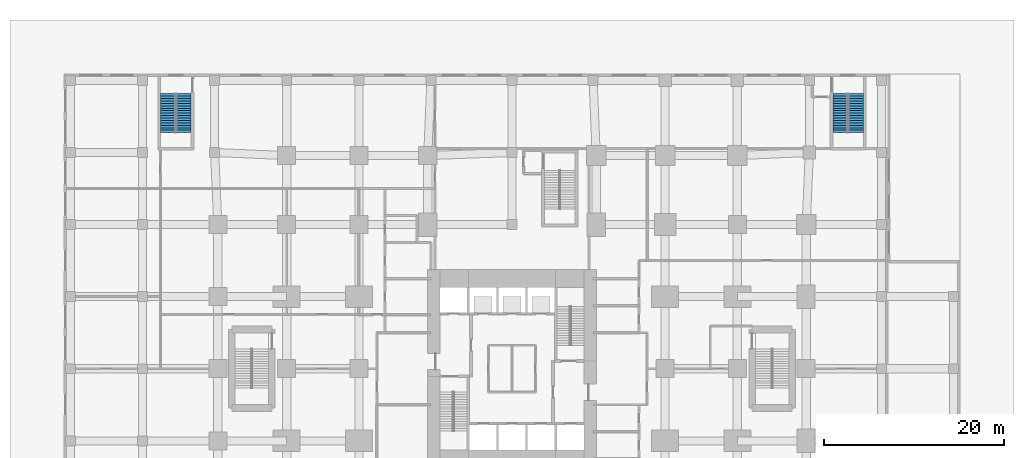
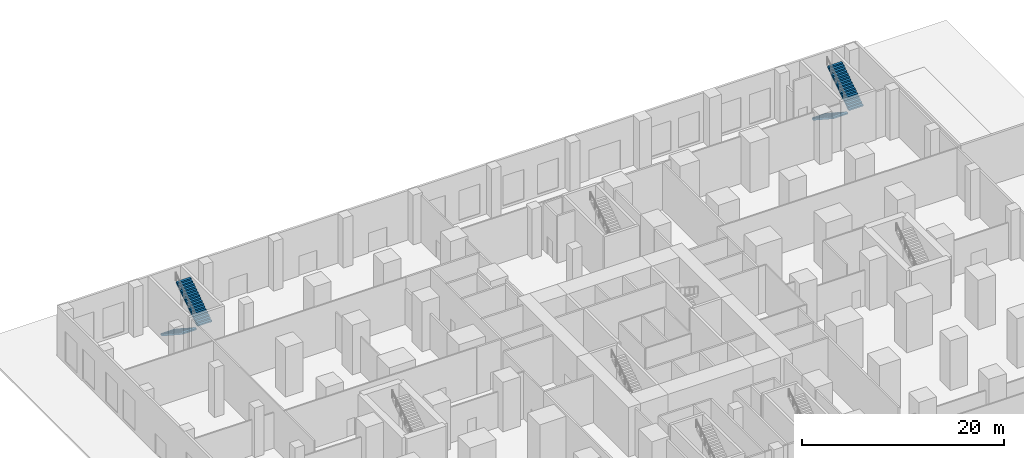
# One storey, part 14 of 16: 4 stair flights, 2 elements without a shape of their own.
"""IFC4 building model written with IfcOpenShell, lengths in metres."""

from ifc_helpers import new_model, si_unit, direction, frame, origin, place, context, subcontext, project, spatial, polyline, outline, extrude, material, type_object, element, aggregate, save


model = new_model("IFC4")

# Units and contexts
model_context = context("Model", 3, precision=1e-05, world=origin(), true_north=direction((0.0, 1.0)))
body_context = subcontext(model_context, "Body", "Model", "MODEL_VIEW")
ifc_project = project(units=[si_unit("LENGTHUNIT", "METRE"), si_unit("AREAUNIT", "SQUARE_METRE"), si_unit("VOLUMEUNIT", "CUBIC_METRE"), si_unit("PLANEANGLEUNIT", "RADIAN"), si_unit("MASSUNIT", "GRAM", prefix="KILO")], contexts=[model_context])

# Site, building, storey
site_placement = place(None, origin())
site = spatial("IfcSite", under=ifc_project, at=site_placement, CompositionType="ELEMENT")
building_placement = place(site_placement, origin())
building = spatial("IfcBuilding", under=site, at=building_placement, Name="Cleftline Residences", CompositionType="ELEMENT")
storey_placement = place(building_placement, origin())
storey = spatial("IfcBuildingStorey", under=building, at=storey_placement, Name="L00", CompositionType="ELEMENT", Elevation=0.0)

# Stair, stair flights
ifc_material_1 = material(Name="Concrete B45, stone treads", Category="masonry")
stair_type_1 = type_object("IfcStairType", Name="STAIR PS-E 1630 WIDE 176 RISER", PredefinedType="HALF_TURN_STAIR", material=ifc_material_1)
stair_1_placement = place(storey_placement, origin())
stair_1 = element("IfcStair", 1, at=stair_1_placement, inside=storey, type_object=stair_type_1, Name="Stair PS-E L00", PredefinedType="HALF_TURN_STAIR")
ifc_material_2 = material(Name="Concrete B45", Category="concrete")
stair_flight_type_1 = type_object("IfcStairFlightType", Name="STAIR PS-E FLIGHT 1630X176", PredefinedType="STRAIGHT", material=ifc_material_2)
stair_flight_1_placement = place(storey_placement, frame((69.4150390625, 54.52001953125, 0.0), z_axis=(0.0, 0.0, 1.0), x_axis=(0.0, -1.0, 0.0)))
stair_flight_1 = element("IfcStairFlight", 2, at=stair_flight_1_placement, type_object=stair_flight_type_1, Name="ST-PS-E flight 1", NumberOfRisers=17, NumberOfTreads=16, PredefinedType="STRAIGHT", RiserHeight=0.176470588, TreadLength=0.27, context=body_context, shape_type="SweptSolid", body=[
    extrude(outline(polyline([(0.0, 0.0), (0.0, 0.013671875), (0.0, 0.027099609375), (0.0, 0.040771484375), (0.0, 0.05419921875), (0.0, 0.06787109375), (0.0, 0.08154296875), (0.0, 0.094970703125), (0.0, 0.108642578125), (0.0, 0.1220703125), (0.0, 0.1357421875), (0.0, 0.1494140625), (0.0, 0.162841796875), (0.0, 0.176513671875), (0.27001953125, 0.176513671875), (0.27001953125, 0.35302734375), (0.5400390625, 0.35302734375), (0.5400390625, 0.529296875), (0.81005859375, 0.529296875), (0.81005859375, 0.705810546875), (1.080078125, 0.705810546875), (1.080078125, 0.88232421875), (1.35009765625, 0.88232421875), (1.35009765625, 1.058837890625), (1.6201171875, 1.058837890625), (1.6201171875, 1.2353515625), (1.889892578125, 1.2353515625), (1.889892578125, 1.411865234375), (2.159912109375, 1.411865234375), (2.159912109375, 1.588134765625), (2.429931640625, 1.588134765625), (2.429931640625, 1.7646484375), (2.699951171875, 1.7646484375), (2.699951171875, 1.941162109375), (2.969970703125, 1.941162109375), (2.969970703125, 2.11767578125), (3.239990234375, 2.11767578125), (3.239990234375, 2.294189453125), (3.510009765625, 2.294189453125), (3.510009765625, 2.470703125), (3.780029296875, 2.470703125), (3.780029296875, 2.64697265625), (4.050048828125, 2.64697265625), (4.050048828125, 2.823486328125), (4.320068359375, 2.823486328125), (4.320068359375, 3.0), (4.320068359375, 2.97265625), (4.320068359375, 2.9453125), (4.320068359375, 2.91796875), (4.320068359375, 2.890625), (4.320068359375, 2.86328125), (4.320068359375, 2.8359375), (4.320068359375, 2.80859375), (4.320068359375, 2.78125), (4.320068359375, 2.75390625), (4.320068359375, 2.7265625), (4.320068359375, 2.69921875), (4.320068359375, 2.671875), (4.320068359375, 2.64453125), (0.27392578125, 0.0), (0.0, 0.0)])), frame((0.0, 0.81494140625, 0.0), z_axis=(0.0, -1.0, 0.0), x_axis=(1.0, 0.0, 0.0)), (0.0, 0.0, 1.0), 1.6298828125),
])
stair_flight_2_placement = place(storey_placement, frame((71.18505859375, 50.199951171875, 3.0), z_axis=(0.0, 0.0, 1.0), x_axis=(0.0, 1.0, 0.0)))
stair_flight_2 = element("IfcStairFlight", 3, at=stair_flight_2_placement, type_object=stair_flight_type_1, Name="ST-PS-E flight 2", NumberOfRisers=17, NumberOfTreads=16, PredefinedType="STRAIGHT", RiserHeight=0.176470588, TreadLength=0.27, context=body_context, shape_type="SweptSolid", body=[
    extrude(outline(polyline([(0.0, 0.0), (0.0, 0.013671875), (0.0, 0.027099609375), (0.0, 0.040771484375), (0.0, 0.05419921875), (0.0, 0.06787109375), (0.0, 0.08154296875), (0.0, 0.094970703125), (0.0, 0.108642578125), (0.0, 0.1220703125), (0.0, 0.1357421875), (0.0, 0.1494140625), (0.0, 0.162841796875), (0.0, 0.176513671875), (0.27001953125, 0.176513671875), (0.27001953125, 0.35302734375), (0.5400390625, 0.35302734375), (0.5400390625, 0.529296875), (0.81005859375, 0.529296875), (0.81005859375, 0.705810546875), (1.080078125, 0.705810546875), (1.080078125, 0.88232421875), (1.35009765625, 0.88232421875), (1.35009765625, 1.058837890625), (1.6201171875, 1.058837890625), (1.6201171875, 1.2353515625), (1.889892578125, 1.2353515625), (1.889892578125, 1.411865234375), (2.159912109375, 1.411865234375), (2.159912109375, 1.588134765625), (2.429931640625, 1.588134765625), (2.429931640625, 1.7646484375), (2.699951171875, 1.7646484375), (2.699951171875, 1.941162109375), (2.969970703125, 1.941162109375), (2.969970703125, 2.11767578125), (3.239990234375, 2.11767578125), (3.239990234375, 2.294189453125), (3.510009765625, 2.294189453125), (3.510009765625, 2.470703125), (3.780029296875, 2.470703125), (3.780029296875, 2.64697265625), (4.050048828125, 2.64697265625), (4.050048828125, 2.823486328125), (4.320068359375, 2.823486328125), (4.320068359375, 3.0), (4.320068359375, 2.97265625), (4.320068359375, 2.9453125), (4.320068359375, 2.91796875), (4.320068359375, 2.890625), (4.320068359375, 2.86328125), (4.320068359375, 2.8359375), (4.320068359375, 2.80859375), (4.320068359375, 2.78125), (4.320068359375, 2.75390625), (4.320068359375, 2.7265625), (4.320068359375, 2.69921875), (4.320068359375, 2.671875), (4.320068359375, 2.64453125), (0.27392578125, 0.0), (0.0, 0.0)])), frame((0.0, 0.81494140625, 0.0), z_axis=(0.0, -1.0, 0.0), x_axis=(1.0, 0.0, 0.0)), (0.0, 0.0, 1.0), 1.6298828125),
])
aggregate(stair_1, [stair_flight_1, stair_flight_2])

ifc_material_3 = material(Name="Concrete B45, stone treads", Category="masonry")
stair_type_2 = type_object("IfcStairType", Name="STAIR PS-W 1630 WIDE 176 RISER", PredefinedType="HALF_TURN_STAIR", material=ifc_material_3)
stair_2_placement = place(storey_placement, origin())
stair_2 = element("IfcStair", 4, at=stair_2_placement, inside=storey, type_object=stair_type_2, Name="Stair PS-W L00", PredefinedType="HALF_TURN_STAIR")
ifc_material_4 = material(Name="Concrete B45", Category="concrete")
stair_flight_type_2 = type_object("IfcStairFlightType", Name="STAIR PS-W FLIGHT 1630X176", PredefinedType="STRAIGHT", material=ifc_material_4)
stair_flight_3_placement = place(storey_placement, frame((-5.18505859375, 54.52001953125, 0.0), z_axis=(0.0, 0.0, 1.0), x_axis=(0.0, -1.0, 0.0)))
stair_flight_3 = element("IfcStairFlight", 5, at=stair_flight_3_placement, type_object=stair_flight_type_2, Name="ST-PS-W flight 1", NumberOfRisers=17, NumberOfTreads=16, PredefinedType="STRAIGHT", RiserHeight=0.176470588, TreadLength=0.27, context=body_context, shape_type="SweptSolid", body=[
    extrude(outline(polyline([(0.0, 0.0), (0.0, 0.013671875), (0.0, 0.027099609375), (0.0, 0.040771484375), (0.0, 0.05419921875), (0.0, 0.06787109375), (0.0, 0.08154296875), (0.0, 0.094970703125), (0.0, 0.108642578125), (0.0, 0.1220703125), (0.0, 0.1357421875), (0.0, 0.1494140625), (0.0, 0.162841796875), (0.0, 0.176513671875), (0.27001953125, 0.176513671875), (0.27001953125, 0.35302734375), (0.5400390625, 0.35302734375), (0.5400390625, 0.529296875), (0.81005859375, 0.529296875), (0.81005859375, 0.705810546875), (1.080078125, 0.705810546875), (1.080078125, 0.88232421875), (1.35009765625, 0.88232421875), (1.35009765625, 1.058837890625), (1.6201171875, 1.058837890625), (1.6201171875, 1.2353515625), (1.889892578125, 1.2353515625), (1.889892578125, 1.411865234375), (2.159912109375, 1.411865234375), (2.159912109375, 1.588134765625), (2.429931640625, 1.588134765625), (2.429931640625, 1.7646484375), (2.699951171875, 1.7646484375), (2.699951171875, 1.941162109375), (2.969970703125, 1.941162109375), (2.969970703125, 2.11767578125), (3.239990234375, 2.11767578125), (3.239990234375, 2.294189453125), (3.510009765625, 2.294189453125), (3.510009765625, 2.470703125), (3.780029296875, 2.470703125), (3.780029296875, 2.64697265625), (4.050048828125, 2.64697265625), (4.050048828125, 2.823486328125), (4.320068359375, 2.823486328125), (4.320068359375, 3.0), (4.320068359375, 2.97265625), (4.320068359375, 2.9453125), (4.320068359375, 2.91796875), (4.320068359375, 2.890625), (4.320068359375, 2.86328125), (4.320068359375, 2.8359375), (4.320068359375, 2.80859375), (4.320068359375, 2.78125), (4.320068359375, 2.75390625), (4.320068359375, 2.7265625), (4.320068359375, 2.69921875), (4.320068359375, 2.671875), (4.320068359375, 2.64453125), (0.27392578125, 0.0), (0.0, 0.0)])), frame((0.0, 0.81494140625, 0.0), z_axis=(0.0, -1.0, 0.0), x_axis=(1.0, 0.0, 0.0)), (0.0, 0.0, 1.0), 1.6298828125),
])
stair_flight_4_placement = place(storey_placement, frame((-3.4150390625, 50.199951171875, 3.0), z_axis=(0.0, 0.0, 1.0), x_axis=(0.0, 1.0, 0.0)))
stair_flight_4 = element("IfcStairFlight", 6, at=stair_flight_4_placement, type_object=stair_flight_type_2, Name="ST-PS-W flight 2", NumberOfRisers=17, NumberOfTreads=16, PredefinedType="STRAIGHT", RiserHeight=0.176470588, TreadLength=0.27, context=body_context, shape_type="SweptSolid", body=[
    extrude(outline(polyline([(0.0, 0.0), (0.0, 0.013671875), (0.0, 0.027099609375), (0.0, 0.040771484375), (0.0, 0.05419921875), (0.0, 0.06787109375), (0.0, 0.08154296875), (0.0, 0.094970703125), (0.0, 0.108642578125), (0.0, 0.1220703125), (0.0, 0.1357421875), (0.0, 0.1494140625), (0.0, 0.162841796875), (0.0, 0.176513671875), (0.27001953125, 0.176513671875), (0.27001953125, 0.35302734375), (0.5400390625, 0.35302734375), (0.5400390625, 0.529296875), (0.81005859375, 0.529296875), (0.81005859375, 0.705810546875), (1.080078125, 0.705810546875), (1.080078125, 0.88232421875), (1.35009765625, 0.88232421875), (1.35009765625, 1.058837890625), (1.6201171875, 1.058837890625), (1.6201171875, 1.2353515625), (1.889892578125, 1.2353515625), (1.889892578125, 1.411865234375), (2.159912109375, 1.411865234375), (2.159912109375, 1.588134765625), (2.429931640625, 1.588134765625), (2.429931640625, 1.7646484375), (2.699951171875, 1.7646484375), (2.699951171875, 1.941162109375), (2.969970703125, 1.941162109375), (2.969970703125, 2.11767578125), (3.239990234375, 2.11767578125), (3.239990234375, 2.294189453125), (3.510009765625, 2.294189453125), (3.510009765625, 2.470703125), (3.780029296875, 2.470703125), (3.780029296875, 2.64697265625), (4.050048828125, 2.64697265625), (4.050048828125, 2.823486328125), (4.320068359375, 2.823486328125), (4.320068359375, 3.0), (4.320068359375, 2.97265625), (4.320068359375, 2.9453125), (4.320068359375, 2.91796875), (4.320068359375, 2.890625), (4.320068359375, 2.86328125), (4.320068359375, 2.8359375), (4.320068359375, 2.80859375), (4.320068359375, 2.78125), (4.320068359375, 2.75390625), (4.320068359375, 2.7265625), (4.320068359375, 2.69921875), (4.320068359375, 2.671875), (4.320068359375, 2.64453125), (0.27392578125, 0.0), (0.0, 0.0)])), frame((0.0, 0.81494140625, 0.0), z_axis=(0.0, -1.0, 0.0), x_axis=(1.0, 0.0, 0.0)), (0.0, 0.0, 1.0), 1.6298828125),
])
aggregate(stair_2, [stair_flight_3, stair_flight_4])

save(model, "model.ifc")
